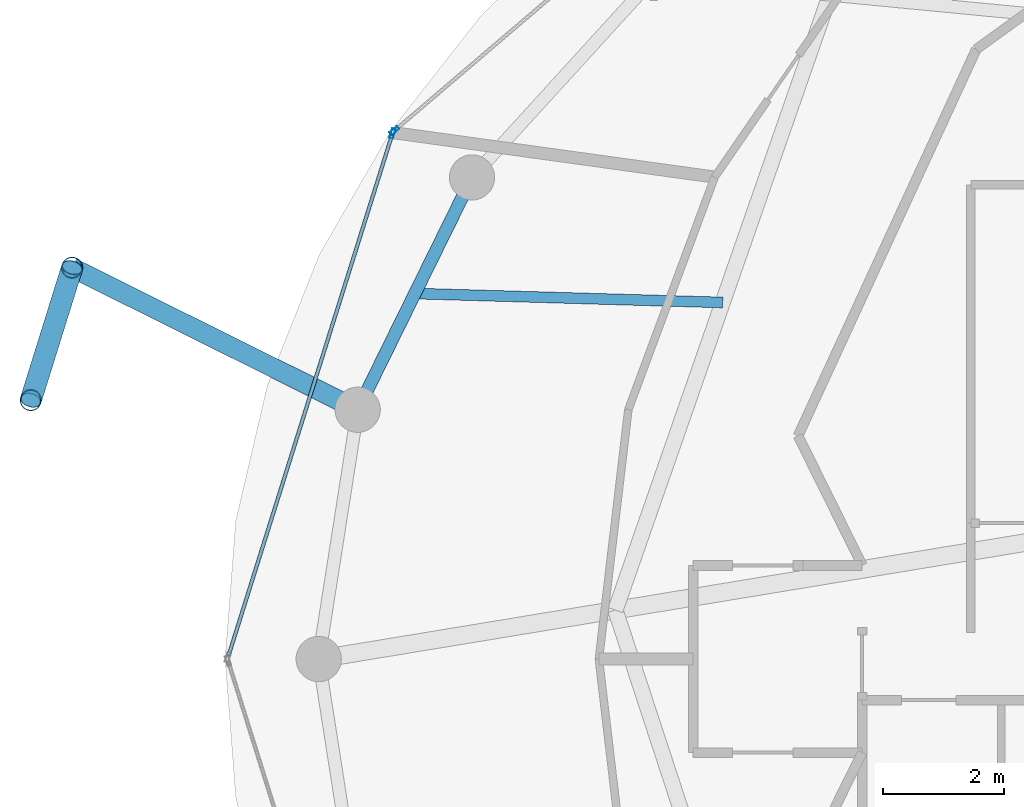
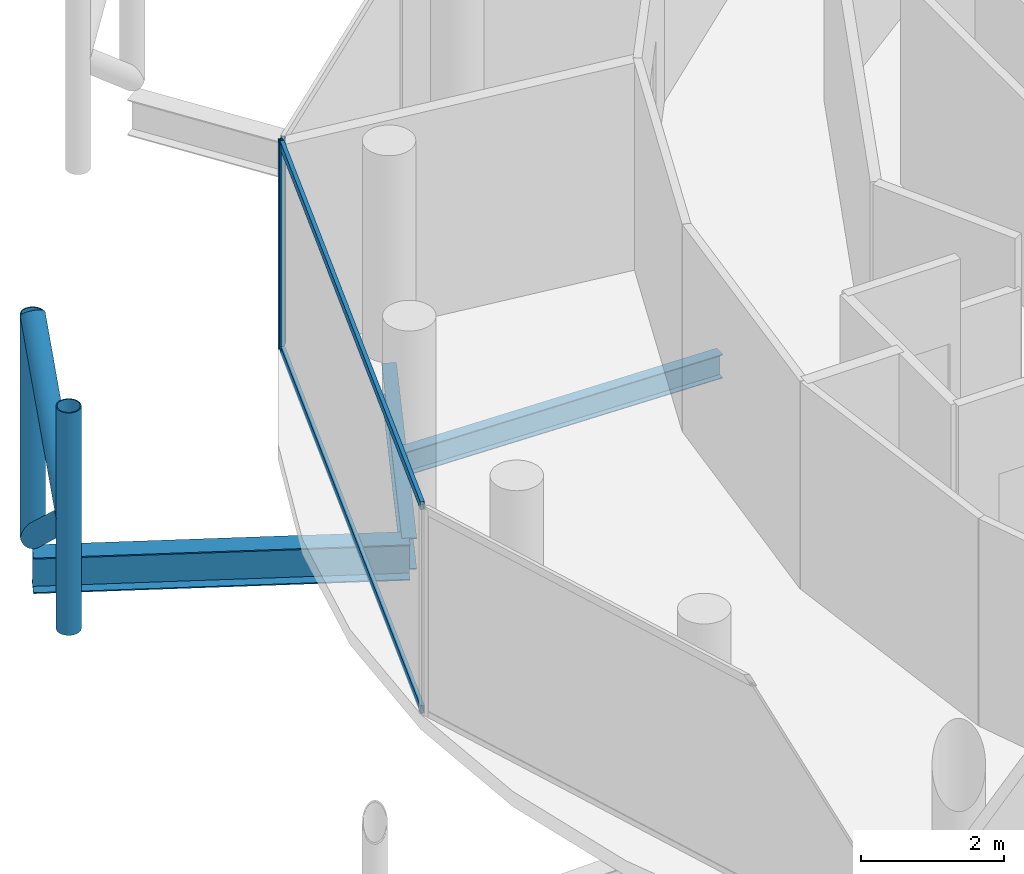
# One storey, part 7 of 24: 8 members, 3 beams, 2 elements without a shape of their own.
"""IFC4 building model written with IfcOpenShell, lengths in metres."""

import ifcopenshell
import ifcopenshell.guid

model = None  # the IFC model being written
_history = None  # IfcOwnerHistory: only IFC2X3 demands one
_inside = {}  # id of a spatial element -> (the spatial element, [elements in it])
_under = {}  # id of a project, library or spatial element -> (it, [spatial elements below it])
_declared = {}  # id of a project -> (the project, [libraries it declares])
_typed = {}  # id of a type object -> (the type object, [elements of that type])
_made_of = {}  # id of a material, layer set ... -> (it, [elements and type objects made of it])


def new_model(schema):
    """Start an empty IFC model of exactly this schema.

    Asked for "IFC4X3", IfcOpenShell would pick the latest addendum, in which some entities
    have other attributes; the version numbers below select the first issue.
    IFC2X3 requires an IfcOwnerHistory on every rooted entity: one is made here for all.
    """
    global model, _history
    if schema == "IFC4X3":
        model = ifcopenshell.file(schema_version=(4, 3, 0, 0))
    else:
        model = ifcopenshell.file(schema=schema)
    _inside.clear()
    _under.clear()
    _declared.clear()
    _typed.clear()
    _made_of.clear()
    _history = None
    if model.schema == "IFC2X3":
        org = make("IfcOrganization", Name="unknown")
        user = make(
            "IfcPersonAndOrganization",
            ThePerson=make("IfcPerson", FamilyName="unknown"),
            TheOrganization=org,
        )
        app = make(
            "IfcApplication",
            ApplicationDeveloper=org,
            Version="unknown",
            ApplicationFullName="unknown",
            ApplicationIdentifier="unknown",
        )
        _history = make(
            "IfcOwnerHistory",
            OwningUser=user,
            OwningApplication=app,
            ChangeAction="ADDED",
            CreationDate=0,
        )
    return model


def make(cls, **values):
    """One entity of the class cls with the attributes given. An attribute that is None is left unset."""
    return model.create_entity(
        cls, **{name: value for name, value in values.items() if value is not None}
    )


def rooted(cls, **values):
    """An entity with a GlobalId (a new one), such as an element, a storey or a relation."""
    return make(cls, GlobalId=ifcopenshell.guid.new(), OwnerHistory=_history, **values)


def si_unit(unit_type, name, prefix=None):
    """IfcSIUnit, for example si_unit("LENGTHUNIT", "METRE", prefix="MILLI")."""
    return make("IfcSIUnit", UnitType=unit_type, Prefix=prefix, Name=name)


def assignment(units):
    """IfcUnitAssignment: the units of a project."""
    return None if units is None else make("IfcUnitAssignment", Units=units)


def point(xyz):
    """IfcCartesianPoint."""
    return None if xyz is None else make("IfcCartesianPoint", Coordinates=xyz)


def direction(xyz):
    """IfcDirection."""
    return None if xyz is None else make("IfcDirection", DirectionRatios=xyz)


def frame(location, z_axis=None, x_axis=None):
    """IfcAxis2Placement3D, a coordinate frame: its origin and axes. An axis left out is left unset."""
    return make(
        "IfcAxis2Placement3D",
        Location=point(location),
        Axis=direction(z_axis),
        RefDirection=direction(x_axis),
    )


def frame_2d(location, x_axis=None):
    """IfcAxis2Placement2D, a coordinate frame in the plane: its origin and x axis."""
    return make(
        "IfcAxis2Placement2D", Location=point(location), RefDirection=direction(x_axis)
    )


def origin():
    """The frame at (0, 0, 0) with its axes left unset."""
    return frame((0.0, 0.0, 0.0))


def origin_2d():
    """The frame at (0, 0) in the plane with its x axis left unset."""
    return frame_2d((0.0, 0.0))


def place(relative_to, where):
    """IfcLocalPlacement: puts the frame where relative to a parent placement (None: the world)."""
    return make(
        "IfcLocalPlacement", PlacementRelTo=relative_to, RelativePlacement=where
    )


def context(
    kind, dimensions, precision=None, world=None, true_north=None, identifier=None
):
    """IfcGeometricRepresentationContext, for example the 3D "Model" context."""
    return make(
        "IfcGeometricRepresentationContext",
        ContextIdentifier=identifier,
        ContextType=kind,
        CoordinateSpaceDimension=dimensions,
        Precision=precision,
        WorldCoordinateSystem=world,
        TrueNorth=true_north,
    )


def subcontext(parent, identifier, kind, view, scale=None):
    """IfcGeometricRepresentationSubContext, for example "Body" below "Model"."""
    return make(
        "IfcGeometricRepresentationSubContext",
        ContextIdentifier=identifier,
        ContextType=kind,
        ParentContext=parent,
        TargetScale=scale,
        TargetView=view,
    )


def project(units=None, contexts=None):
    """IfcProject with its units and contexts."""
    return rooted(
        "IfcProject",
        Name="project",
        RepresentationContexts=contexts,
        UnitsInContext=assignment(units),
    )


def spatial(cls, under=None, at=None, **own):
    """A site, building, storey or space (cls), placed at a placement, below another one or the project."""
    s = rooted(cls, ObjectPlacement=at, **own)
    if under is not None:
        _under.setdefault(under.id(), (under, []))[1].append(s)
    return s


def profile(cls, at=None, kind="AREA", **sizes):
    """A parametric profile (cls). Its sizes go by their IFC names, for example OverallWidth=200.0."""
    return make(cls, ProfileType=kind, Position=at, **sizes)


def hollow_rectangle(**sizes):
    """IfcRectangleHollowProfileDef."""
    return profile("IfcRectangleHollowProfileDef", **sizes)


def hollow_circle(**sizes):
    """IfcCircleHollowProfileDef."""
    return profile("IfcCircleHollowProfileDef", **sizes)


def i_section(**sizes):
    """IfcIShapeProfileDef."""
    return profile("IfcIShapeProfileDef", **sizes)


def extrude(swept, where, along, depth):
    """IfcExtrudedAreaSolid: the profile swept, set in the frame where, extruded along a direction by depth."""
    return make(
        "IfcExtrudedAreaSolid",
        SweptArea=swept,
        Position=where,
        ExtrudedDirection=direction(along),
        Depth=depth,
    )


def shape(context_of_items, identifier, shape_type, items):
    """IfcShapeRepresentation: the items that make up one representation, for example the "Body"."""
    return make(
        "IfcShapeRepresentation",
        ContextOfItems=context_of_items,
        RepresentationIdentifier=identifier,
        RepresentationType=shape_type,
        Items=items,
    )


def material(Name=None, Category=None):
    """IfcMaterial."""
    return make("IfcMaterial", Name=Name, Category=Category)


def layer(
    of_material, thickness, ventilated=None, Name=None, Category=None, Priority=None
):
    """IfcMaterialLayer: one layer of a wall or slab, of a material (None: an air gap)."""
    return make(
        "IfcMaterialLayer",
        Material=of_material,
        LayerThickness=thickness,
        IsVentilated=ventilated,
        Name=Name,
        Category=Category,
        Priority=Priority,
    )


def layer_set(layers, Name=None):
    """IfcMaterialLayerSet."""
    return make("IfcMaterialLayerSet", MaterialLayers=layers, LayerSetName=Name)


def material_profile(
    of_material, cross_section, Name=None, Category=None, Priority=None
):
    """IfcMaterialProfile: a cross section and its material."""
    return make(
        "IfcMaterialProfile",
        Name=Name,
        Material=of_material,
        Profile=cross_section,
        Priority=Priority,
        Category=Category,
    )


def profile_set(profiles, Name=None, composite=None):
    """IfcMaterialProfileSet."""
    return make(
        "IfcMaterialProfileSet",
        Name=Name,
        MaterialProfiles=profiles,
        CompositeProfile=composite,
    )


def made_of(thing, what):
    """Note that an element or type object is made of a material, layer set ...; save() writes the relation."""
    if what is not None:
        _made_of.setdefault(what.id(), (what, []))[1].append(thing)
    return thing


def type_object(cls, material=None, **own):
    """A type object (cls), such as IfcWallType, which elements share."""
    return made_of(rooted(cls, **own), material)


def element(
    cls,
    number,
    at=None,
    inside=None,
    cuts=None,
    type_object=None,
    material=None,
    context=None,
    identifier="Body",
    shape_type=None,
    held_by="IfcProductDefinitionShape",
    body=None,
    shapes=None,
    **own,
):
    """One element of the class cls, such as IfcWall. Its Tag is "e" and its number.

    at: its placement. inside: the storey or other place that contains it. cuts: it is an
    opening in that element (IfcRelVoidsElement). A single representation is given by context,
    identifier, shape_type and body (its items); several are given by shapes. held_by: the class
    of the entity that holds the representations. save() writes the other relations.
    """
    e = rooted(cls, Tag="e%d" % number, ObjectPlacement=at, **own)
    if body is not None:
        shapes = [shape(context, identifier, shape_type, body)]
    if shapes is not None:
        e.Representation = make(held_by, Representations=shapes)
    if inside is not None:
        _inside.setdefault(inside.id(), (inside, []))[1].append(e)
    if cuts is not None:
        rooted(
            "IfcRelVoidsElement", RelatingBuildingElement=cuts, RelatedOpeningElement=e
        )
    if type_object is not None:
        _typed.setdefault(type_object.id(), (type_object, []))[1].append(e)
    return made_of(e, material)


def aggregate(whole, parts):
    """IfcRelAggregates: a whole, such as a stair, and the parts it consists of."""
    return rooted("IfcRelAggregates", RelatingObject=whole, RelatedObjects=parts)


def save(model, path):
    """Write the relations noted so far, then the file.

    IfcRelAggregates (storeys below a building ...), IfcRelContainedInSpatialStructure (elements
    in a storey), IfcRelDefinesByType, IfcRelAssociatesMaterial and IfcRelDeclares: one each for
    every whole, place, type object, material and project.
    """
    for whole, parts in _under.values():
        aggregate(whole, parts)
    for where, things in _inside.values():
        rooted(
            "IfcRelContainedInSpatialStructure",
            RelatedElements=things,
            RelatingStructure=where,
        )
    for kind, things in _typed.values():
        rooted("IfcRelDefinesByType", RelatedObjects=things, RelatingType=kind)
    for what, things in _made_of.values():
        rooted("IfcRelAssociatesMaterial", RelatedObjects=things, RelatingMaterial=what)
    for by, libraries in _declared.values():
        rooted("IfcRelDeclares", RelatingContext=by, RelatedDefinitions=libraries)
    model.write(path)


model = new_model("IFC4")

# Units and contexts
model_context = context("Model", 3, precision=1e-05, world=origin(), true_north=direction((0.0, 1.0)))
body_context = subcontext(model_context, "Body", "Model", "MODEL_VIEW")
ifc_project = project(units=[si_unit("LENGTHUNIT", "METRE"), si_unit("AREAUNIT", "SQUARE_METRE"), si_unit("VOLUMEUNIT", "CUBIC_METRE"), si_unit("PLANEANGLEUNIT", "RADIAN"), si_unit("MASSUNIT", "GRAM", prefix="KILO")], contexts=[model_context])

# Site, building, storey
site_placement = place(None, origin())
site = spatial("IfcSite", under=ifc_project, at=site_placement, CompositionType="ELEMENT")
building_placement = place(site_placement, origin())
building = spatial("IfcBuilding", under=site, at=building_placement, Name="Nuhasar Tower", CompositionType="ELEMENT")
storey_placement = place(building_placement, frame((0.0, 0.0, 274.60009765625)))
storey = spatial("IfcBuildingStorey", under=building, at=storey_placement, Name="L68", CompositionType="ELEMENT", Elevation=274.60009765625)

# Beams
ifc_material_1 = material(Name="Steel S355", Category="steel")
ifc_material_profile_1 = material_profile(ifc_material_1, i_section(OverallWidth=0.177978515625, OverallDepth=0.406005859375, WebThickness=0.0078125, FlangeThickness=0.0126953125, at=origin_2d()), Name="W16X40")
ifc_profile_set_1 = profile_set([ifc_material_profile_1], Name="Steel S355")
beam_type_1 = type_object("IfcBeamType", Name="BM-JST-W16X40", PredefinedType="JOIST", material=ifc_profile_set_1)
beam_1_placement = place(storey_placement, frame((26.739990234375, 32.7041015625, -0.463134765625), z_axis=(-0.999579139243, 0.02900938453, 0.0), x_axis=(-0.02900938453, -0.999579139243, 0.0)))
element("IfcBeam", 1, at=beam_1_placement, inside=storey, type_object=beam_type_1, Name="L68 Secondary Floor Joist 07", PredefinedType="JOIST", context=body_context, shape_type="SweptSolid", body=[
    extrude(i_section(OverallWidth=0.177978515625, OverallDepth=0.406005859375, WebThickness=0.0078125, FlangeThickness=0.0126953125, at=origin_2d()), origin(), (0.0, 0.0, 1.0), 5.10009765625),
])
ifc_material_profile_2 = material_profile(ifc_material_1, i_section(OverallWidth=0.2099609375, OverallDepth=0.537109375, WebThickness=0.010986328125, FlangeThickness=0.017333984375, at=origin_2d()), Name="W21X68")
ifc_profile_set_2 = profile_set([ifc_material_profile_2], Name="Steel S355")
beam_type_2 = type_object("IfcBeamType", Name="BM-RING-W21X68", PredefinedType="SPANDREL", material=ifc_profile_set_2)
beam_2_placement = place(storey_placement, frame((22.589111328125, 34.77490234375, -0.529052734375), z_axis=(-0.441533119295, -0.897244952377, 0.0), x_axis=(0.897244952377, -0.441533119295, 0.0)))
element("IfcBeam", 2, at=beam_2_placement, inside=storey, type_object=beam_type_2, Name="L68 Perimeter Ring Spandrel 11", PredefinedType="SPANDREL", context=body_context, shape_type="SweptSolid", body=[
    extrude(i_section(OverallWidth=0.2099609375, OverallDepth=0.537109375, WebThickness=0.010986328125, FlangeThickness=0.017333984375, at=origin_2d()), origin(), (0.0, 0.0, 1.0), 4.28759765625),
])
ifc_material_profile_3 = material_profile(ifc_material_1, i_section(OverallWidth=0.323974609375, OverallDepth=0.611083984375, WebThickness=0.0126953125, FlangeThickness=0.01904296875, at=origin_2d()), Name="W24X104")
ifc_profile_set_3 = profile_set([ifc_material_profile_3], Name="Steel S355")
beam_type_3 = type_object("IfcBeamType", Name="BM-TIE-W24X104", PredefinedType="BEAM", material=ifc_profile_set_3)
beam_3_placement = place(storey_placement, frame((20.696044921875, 30.927978515625, -0.566162109375), z_axis=(-0.895294451274, 0.445474853969, 0.0), x_axis=(-0.445474853969, -0.895294451274, 0.0)))
element("IfcBeam", 3, at=beam_3_placement, inside=storey, type_object=beam_type_3, Name="L68 Exoskeleton Node Tie Beam 06", PredefinedType="BEAM", context=body_context, shape_type="SweptSolid", body=[
    extrude(i_section(OverallWidth=0.323974609375, OverallDepth=0.611083984375, WebThickness=0.0126953125, FlangeThickness=0.01904296875, at=origin_2d()), origin(), (0.0, 0.0, 1.0), 5.281982421875),
])

# Curtain wall, member
ifc_material_2 = material(Name="Aluminium 6063-T6", Category="aluminium")
ifc_layer = layer(ifc_material_2, 0.18994140625)
ifc_layer_set = layer_set([ifc_layer], Name="Aluminium 6063-T6")
curtain_wall_type = type_object("IfcCurtainWallType", Name="CW-Z4-PEN", PredefinedType="NOTDEFINED", material=ifc_layer_set)
curtain_wall_1_placement = place(storey_placement, origin())
curtain_wall_1 = element("IfcCurtainWall", 4, at=curtain_wall_1_placement, inside=storey, type_object=curtain_wall_type, Name="L68 Unitised Curtain Wall 05", PredefinedType="NOTDEFINED")
ifc_material_profile_4 = material_profile(ifc_material_2, hollow_rectangle(XDim=0.06005859375, YDim=0.1650390625, WallThickness=0.0048828125, at=origin_2d()), Name="CWM-5")
ifc_profile_set_4 = profile_set([ifc_material_profile_4], Name="Aluminium 6063-T6")
member_type_1 = type_object("IfcMemberType", Name="CW-MUL-S5", PredefinedType="MULLION", material=ifc_profile_set_4)
member_1_placement = place(storey_placement, frame((21.3037109375, 35.549560546875, 0.0), z_axis=(0.0, 0.0, 1.0), x_axis=(0.649141996205, -0.760667252327, 0.0)))
member_1 = element("IfcMember", 5, at=member_1_placement, type_object=member_type_1, Name="CW-Z4 mullion 2", PredefinedType="MULLION", context=body_context, shape_type="SweptSolid", body=[
    extrude(hollow_rectangle(XDim=0.06005859375, YDim=0.1650390625, WallThickness=0.0048828125, at=origin_2d()), origin(), (0.0, 0.0, 1.0), 3.539794921875),
])
aggregate(curtain_wall_1, [member_1])

# Curtain wall, members
curtain_wall_2_placement = place(storey_placement, origin())
curtain_wall_2 = element("IfcCurtainWall", 6, at=curtain_wall_2_placement, inside=storey, type_object=curtain_wall_type, Name="L68 Unitised Curtain Wall 06", PredefinedType="NOTDEFINED")
member_2_placement = place(storey_placement, frame((21.27197265625, 35.50146484375, 0.0), z_axis=(0.0, 0.0, 1.0), x_axis=(0.954078526601, -0.299556614146, 0.0)))
member_2 = element("IfcMember", 7, at=member_2_placement, type_object=member_type_1, Name="CW-Z4 mullion 1", PredefinedType="MULLION", context=body_context, shape_type="SweptSolid", body=[
    extrude(hollow_rectangle(XDim=0.06005859375, YDim=0.1650390625, WallThickness=0.0048828125, at=origin_2d()), origin(), (0.0, 0.0, 1.0), 3.539794921875),
])
ifc_material_profile_5 = material_profile(ifc_material_2, hollow_rectangle(XDim=0.06005859375, YDim=0.135009765625, WallThickness=0.00439453125, at=origin_2d()), Name="CWT-5")
ifc_profile_set_5 = profile_set([ifc_material_profile_5], Name="Aluminium 6063-T6")
member_type_2 = type_object("IfcMemberType", Name="CW-TRN-S5", PredefinedType="USERDEFINED", material=ifc_profile_set_5)
member_3_placement = place(storey_placement, frame((21.262939453125, 35.47265625, 0.02978515625), z_axis=(-0.29956014073, -0.954077419335, 0.0), x_axis=(0.954077419335, -0.29956014073, 0.0)))
member_3 = element("IfcMember", 8, at=member_3_placement, type_object=member_type_2, Name="CW-Z4 transom 1.1", ObjectType="TRANSOM", PredefinedType="USERDEFINED", context=body_context, shape_type="SweptSolid", body=[
    extrude(hollow_rectangle(XDim=0.06005859375, YDim=0.135009765625, WallThickness=0.00439453125, at=origin_2d()), origin(), (0.0, 0.0, 1.0), 9.0302734375),
])
member_4_placement = place(storey_placement, frame((21.262939453125, 35.47265625, 3.510009765625), z_axis=(-0.29956014073, -0.954077419335, 0.0), x_axis=(0.954077419335, -0.29956014073, 0.0)))
member_4 = element("IfcMember", 9, at=member_4_placement, type_object=member_type_2, Name="CW-Z4 transom 1.2", ObjectType="TRANSOM", PredefinedType="USERDEFINED", context=body_context, shape_type="SweptSolid", body=[
    extrude(hollow_rectangle(XDim=0.06005859375, YDim=0.135009765625, WallThickness=0.00439453125, at=origin_2d()), origin(), (0.0, 0.0, 1.0), 9.0302734375),
])
aggregate(curtain_wall_2, [member_2, member_3, member_4])

# Members
ifc_material_3 = material(Name="Steel S460", Category="steel")
ifc_material_profile_6 = material_profile(ifc_material_3, hollow_circle(Radius=0.177734375, WallThickness=0.015869140625, at=origin_2d()), Name="HSS355.6X15.9")
ifc_profile_set_6 = profile_set([ifc_material_profile_6], Name="Steel S460")
member_type_3 = type_object("IfcMemberType", Name="EXO-BRONZE-356", PredefinedType="BRACE", material=ifc_profile_set_6)
for number, where, z_axis, x_axis, name in (
    (10, (15.967041015625, 33.281005859375, 0.0), (0.0, 0.0, 1.0), (1.0, 0.0, 0.0), "L68 Exoskeleton Chord Column EC-06A"),
    (11, (15.281982421875, 31.0859375, 0.0), (0.0, 0.0, 1.0), (1.0, 0.0, 0.0), "L68 Exoskeleton Chord Column EC-06B"),
):
    element("IfcMember", number, at=place(storey_placement, frame(where, z_axis=z_axis, x_axis=x_axis)), inside=storey, type_object=member_type_3, Name=name, PredefinedType="BRACE", context=body_context, shape_type="SweptSolid", body=[
        extrude(hollow_circle(Radius=0.177734375, WallThickness=0.015869140625, at=origin_2d()), origin(), (0.0, 0.0, 1.0), 3.7998046875),
    ])
for number, where, z_axis, x_axis, name in (
    (12, (15.967041015625, 33.281005859375, 0.0), (-0.229667527485, -0.735901902929, 0.636946792192), (0.954591372974, -0.297918295247, 0.0), "L68 Bronze Diagrid Brace W1-06"),
    (13, (15.281982421875, 31.0859375, 1.89990234375), (0.229667527485, 0.735901902929, 0.636946792192), (-0.954591372974, 0.297918295247, 0.0), "L68 Bronze Diagrid Brace W2-06"),
):
    element("IfcMember", number, at=place(storey_placement, frame(where, z_axis=z_axis, x_axis=x_axis)), inside=storey, type_object=member_type_3, Name=name, PredefinedType="BRACE", context=body_context, shape_type="SweptSolid", body=[
        extrude(hollow_circle(Radius=0.177734375, WallThickness=0.015869140625, at=origin_2d()), origin(), (0.0, 0.0, 1.0), 2.98291015625),
    ])

save(model, "model.ifc")
